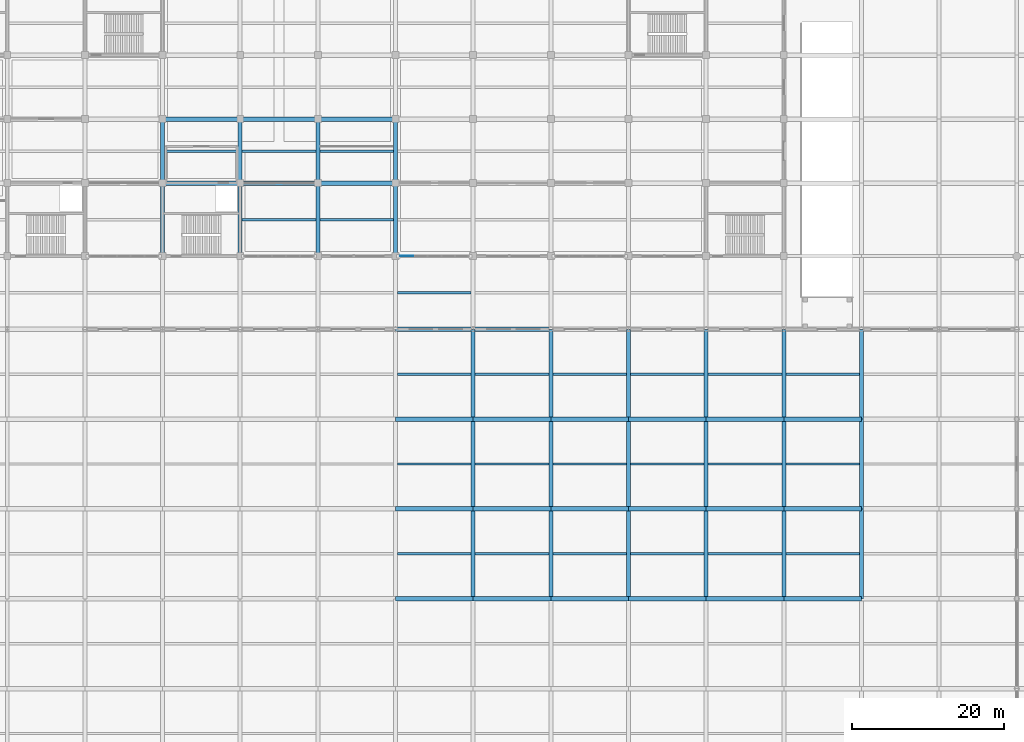
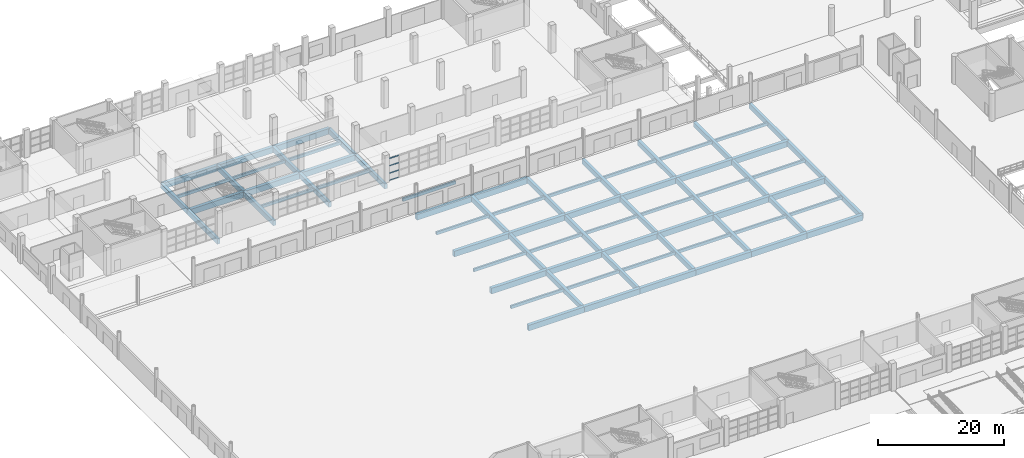
# One storey, part 44 of 124: 76 beams, 4 members, 1 element without a shape of its own.
"""IFC4 building model written with IfcOpenShell, lengths in metres."""

from ifc_helpers import new_model, si_unit, direction, frame, origin, origin_2d, place, context, subcontext, project, spatial, rectangle, hollow_rectangle, extrude, material, material_profile, profile_set, type_object, element, aggregate, save


model = new_model("IFC4")

# Units and contexts
model_context = context("Model", 3, precision=1e-05, world=origin(), true_north=direction((0.0, 1.0)))
body_context = subcontext(model_context, "Body", "Model", "MODEL_VIEW")
ifc_project = project(units=[si_unit("LENGTHUNIT", "METRE"), si_unit("AREAUNIT", "SQUARE_METRE"), si_unit("VOLUMEUNIT", "CUBIC_METRE"), si_unit("PLANEANGLEUNIT", "RADIAN"), si_unit("MASSUNIT", "GRAM", prefix="KILO")], contexts=[model_context])

# Site, building, storey
site_placement = place(None, origin())
site = spatial("IfcSite", under=ifc_project, at=site_placement, CompositionType="ELEMENT")
building_placement = place(site_placement, origin())
building = spatial("IfcBuilding", under=site, at=building_placement, Name="Brelvane Convention Centre", CompositionType="ELEMENT")
storey_placement = place(building_placement, origin())
storey = spatial("IfcBuildingStorey", under=building, at=storey_placement, Name="L00", CompositionType="ELEMENT", Elevation=0.0)

# Curtain wall, members
ifc_material_1 = material(Name="Anodised Aluminium Alloy 6063-T6", Category="aluminium")
curtain_wall_type = type_object("IfcCurtainWallType", Name="Curtain Wall CW-COURT", PredefinedType="USERDEFINED", material=ifc_material_1)
curtain_wall_placement = place(storey_placement, origin())
curtain_wall = element("IfcCurtainWall", 1, at=curtain_wall_placement, inside=storey, type_object=curtain_wall_type, Name="Curtain Wall CW-COURT L00-V4S-07", ObjectType="UNITISED", PredefinedType="USERDEFINED")
ifc_material_2 = material(Name="Anodised Aluminium Alloy 6063-T6", Category="aluminium")
ifc_material_profile_1 = material_profile(ifc_material_2, hollow_rectangle(XDim=0.070068359375, YDim=0.14990234375, WallThickness=0.00439453125, InnerFilletRadius=0.00439453125, OuterFilletRadius=0.009033203125, at=origin_2d()), Name="ALU-T 150x70x4.5")
ifc_profile_set_1 = profile_set([ifc_material_profile_1], Name="Anodised Aluminium Alloy 6063-T6")
member_type = type_object("IfcMemberType", Name="Curtain Transom CW-T2", PredefinedType="USERDEFINED", material=ifc_profile_set_1)
member_1_placement = place(storey_placement, frame((61.824951171875, 109.199951171875, 0.034912109375), z_axis=(1.0, 0.0, 0.0), x_axis=(0.0, 1.0, 0.0)))
member_1 = element("IfcMember", 2, at=member_1_placement, type_object=member_type, Name="CW-COURT transom 1.1", ObjectType="TRANSOM", PredefinedType="USERDEFINED", context=body_context, shape_type="SweptSolid", body=[
    extrude(hollow_rectangle(XDim=0.070068359375, YDim=0.14990234375, WallThickness=0.00439453125, InnerFilletRadius=0.00439453125, OuterFilletRadius=0.009033203125, at=origin_2d()), origin(), (0.0, 0.0, 1.0), 1.70751953125),
])
member_2_placement = place(storey_placement, frame((61.824951171875, 109.199951171875, 1.433349609375), z_axis=(1.0, 0.0, 0.0), x_axis=(0.0, 1.0, 0.0)))
member_2 = element("IfcMember", 3, at=member_2_placement, type_object=member_type, Name="CW-COURT transom 1.2", ObjectType="TRANSOM", PredefinedType="USERDEFINED", context=body_context, shape_type="SweptSolid", body=[
    extrude(hollow_rectangle(XDim=0.070068359375, YDim=0.14990234375, WallThickness=0.00439453125, InnerFilletRadius=0.00439453125, OuterFilletRadius=0.009033203125, at=origin_2d()), origin(), (0.0, 0.0, 1.0), 1.70751953125),
])
member_3_placement = place(storey_placement, frame((61.824951171875, 109.199951171875, 2.86669921875), z_axis=(1.0, 0.0, 0.0), x_axis=(0.0, 1.0, 0.0)))
member_3 = element("IfcMember", 4, at=member_3_placement, type_object=member_type, Name="CW-COURT transom 1.3", ObjectType="TRANSOM", PredefinedType="USERDEFINED", context=body_context, shape_type="SweptSolid", body=[
    extrude(hollow_rectangle(XDim=0.070068359375, YDim=0.14990234375, WallThickness=0.00439453125, InnerFilletRadius=0.00439453125, OuterFilletRadius=0.009033203125, at=origin_2d()), origin(), (0.0, 0.0, 1.0), 1.70751953125),
])
member_4_placement = place(storey_placement, frame((61.824951171875, 109.199951171875, 4.264892578125), z_axis=(1.0, 0.0, 0.0), x_axis=(0.0, 1.0, 0.0)))
member_4 = element("IfcMember", 5, at=member_4_placement, type_object=member_type, Name="CW-COURT transom 1.4", ObjectType="TRANSOM", PredefinedType="USERDEFINED", context=body_context, shape_type="SweptSolid", body=[
    extrude(hollow_rectangle(XDim=0.070068359375, YDim=0.14990234375, WallThickness=0.00439453125, InnerFilletRadius=0.00439453125, OuterFilletRadius=0.009033203125, at=origin_2d()), origin(), (0.0, 0.0, 1.0), 1.70751953125),
])
aggregate(curtain_wall, [member_1, member_2, member_3, member_4])

# Beams
ifc_material_3 = material(Name="Concrete M50", Category="concrete")
ifc_material_profile_2 = material_profile(ifc_material_3, rectangle(XDim=0.60009765625, YDim=1.10009765625, at=origin_2d()), Name="RC 600x1100")
ifc_profile_set_2 = profile_set([ifc_material_profile_2], Name="Concrete M50")
beam_type_1 = type_object("IfcBeamType", Name="RC Beam B-RC2 (RC 600x1100)", PredefinedType="BEAM", material=ifc_profile_set_2)
for number, where, z_axis, x_axis, name in (
    (6, (30.60009765625, 118.800048828125, -0.965087890625), (1.0, 0.0, 0.0), (0.0, 1.0, 0.0), "L00 Beam 4-5/M"),
    (7, (30.60009765625, 127.199951171875, -0.965087890625), (1.0, 0.0, 0.0), (0.0, 1.0, 0.0), "L00 Beam 4-5/N"),
    (8, (40.800048828125, 118.800048828125, -0.965087890625), (1.0, 0.0, 0.0), (0.0, 1.0, 0.0), "L00 Beam 5-6/M"),
    (9, (40.800048828125, 127.199951171875, -0.965087890625), (1.0, 0.0, 0.0), (0.0, 1.0, 0.0), "L00 Beam 5-6/N"),
    (10, (51.0, 118.800048828125, -0.965087890625), (1.0, 0.0, 0.0), (0.0, 1.0, 0.0), "L00 Beam 6-7/M"),
    (11, (51.0, 127.199951171875, -0.965087890625), (1.0, 0.0, 0.0), (0.0, 1.0, 0.0), "L00 Beam 6-7/N"),
    (12, (61.199951171875, 64.199951171875, -0.929931640625), (1.0, 0.0, 0.0), (0.0, 1.0, 0.0), "L00 Beam 7-8/G"),
    (13, (61.199951171875, 76.0, -0.929931640625), (1.0, 0.0, 0.0), (0.0, 1.0, 0.0), "L00 Beam 7-8/H"),
    (14, (61.199951171875, 87.800048828125, -0.929931640625), (1.0, 0.0, 0.0), (0.0, 1.0, 0.0), "L00 Beam 7-8/J"),
    (15, (61.199951171875, 99.60009765625, -0.949951171875), (1.0, 0.0, 0.0), (0.0, 1.0, 0.0), "L00 Beam 7-8/K"),
):
    element("IfcBeam", number, at=place(storey_placement, frame(where, z_axis=z_axis, x_axis=x_axis)), inside=storey, type_object=beam_type_1, Name=name, PredefinedType="BEAM", context=body_context, shape_type="SweptSolid", body=[
        extrude(rectangle(XDim=0.60009765625, YDim=1.10009765625, at=origin_2d()), origin(), (0.0, 0.0, 1.0), 10.199951171875),
    ])
for number, where, z_axis, x_axis, name in (
    (16, (71.39990234375, 64.199951171875, -0.929931640625), (1.0, 0.0, 0.0), (0.0, 1.0, 0.0), "L00 Beam 8-9/G"),
    (17, (71.39990234375, 76.0, -0.929931640625), (1.0, 0.0, 0.0), (0.0, 1.0, 0.0), "L00 Beam 8-9/H"),
    (18, (71.39990234375, 87.800048828125, -0.929931640625), (1.0, 0.0, 0.0), (0.0, 1.0, 0.0), "L00 Beam 8-9/J"),
    (19, (71.39990234375, 99.60009765625, -0.949951171875), (1.0, 0.0, 0.0), (0.0, 1.0, 0.0), "L00 Beam 8-9/K"),
):
    element("IfcBeam", number, at=place(storey_placement, frame(where, z_axis=z_axis, x_axis=x_axis)), inside=storey, type_object=beam_type_1, Name=name, PredefinedType="BEAM", context=body_context, shape_type="SweptSolid", body=[
        extrude(rectangle(XDim=0.60009765625, YDim=1.10009765625, at=origin_2d()), origin(), (0.0, 0.0, 1.0), 10.2001953125),
    ])
for number, where, z_axis, x_axis, name in (
    (20, (81.60009765625, 64.199951171875, -0.929931640625), (1.0, 0.0, 0.0), (0.0, 1.0, 0.0), "L00 Beam 9-10/G"),
    (21, (81.60009765625, 76.0, -0.929931640625), (1.0, 0.0, 0.0), (0.0, 1.0, 0.0), "L00 Beam 9-10/H"),
    (22, (81.60009765625, 87.800048828125, -0.929931640625), (1.0, 0.0, 0.0), (0.0, 1.0, 0.0), "L00 Beam 9-10/J"),
    (23, (91.800048828125, 64.199951171875, -0.929931640625), (1.0, 0.0, 0.0), (0.0, 1.0, 0.0), "L00 Beam 10-11/G"),
    (24, (91.800048828125, 76.0, -0.929931640625), (1.0, 0.0, 0.0), (0.0, 1.0, 0.0), "L00 Beam 10-11/H"),
    (25, (91.800048828125, 87.800048828125, -0.929931640625), (1.0, 0.0, 0.0), (0.0, 1.0, 0.0), "L00 Beam 10-11/J"),
    (26, (102.0, 64.199951171875, -0.929931640625), (1.0, 0.0, 0.0), (0.0, 1.0, 0.0), "L00 Beam 11-12/G"),
    (27, (102.0, 76.0, -0.929931640625), (1.0, 0.0, 0.0), (0.0, 1.0, 0.0), "L00 Beam 11-12/H"),
    (28, (102.0, 87.800048828125, -0.929931640625), (1.0, 0.0, 0.0), (0.0, 1.0, 0.0), "L00 Beam 11-12/J"),
    (29, (112.199951171875, 64.199951171875, -0.929931640625), (1.0, 0.0, 0.0), (0.0, 1.0, 0.0), "L00 Beam 12-13/G"),
    (30, (112.199951171875, 76.0, -0.929931640625), (1.0, 0.0, 0.0), (0.0, 1.0, 0.0), "L00 Beam 12-13/H"),
    (31, (112.199951171875, 87.800048828125, -0.929931640625), (1.0, 0.0, 0.0), (0.0, 1.0, 0.0), "L00 Beam 12-13/J"),
):
    element("IfcBeam", number, at=place(storey_placement, frame(where, z_axis=z_axis, x_axis=x_axis)), inside=storey, type_object=beam_type_1, Name=name, PredefinedType="BEAM", context=body_context, shape_type="SweptSolid", body=[
        extrude(rectangle(XDim=0.60009765625, YDim=1.10009765625, at=origin_2d()), origin(), (0.0, 0.0, 1.0), 10.199951171875),
    ])
ifc_material_4 = material(Name="Concrete M50", Category="concrete")
ifc_material_profile_3 = material_profile(ifc_material_4, rectangle(XDim=0.52001953125, YDim=0.949951171875, at=origin_2d()), Name="RC 520x950")
ifc_profile_set_3 = profile_set([ifc_material_profile_3], Name="Concrete M50")
beam_type_2 = type_object("IfcBeamType", Name="RC Beam B-RC9 (RC 520x950)", PredefinedType="BEAM", material=ifc_profile_set_3)
beam_1_placement = place(storey_placement, frame((30.60009765625, 109.199951171875, -0.889892578125), z_axis=(0.0, 1.0, 0.0), x_axis=(-1.0, 0.0, 0.0)))
element("IfcBeam", 32, at=beam_1_placement, inside=storey, type_object=beam_type_2, Name="L00 Girder 4/L-M", PredefinedType="BEAM", context=body_context, shape_type="SweptSolid", body=[
    extrude(rectangle(XDim=0.52001953125, YDim=0.949951171875, at=origin_2d()), origin(), (0.0, 0.0, 1.0), 9.60009765625),
])
beam_2_placement = place(storey_placement, frame((30.60009765625, 118.800048828125, -0.889892578125), z_axis=(0.0, 1.0, 0.0), x_axis=(-1.0, 0.0, 0.0)))
element("IfcBeam", 33, at=beam_2_placement, inside=storey, type_object=beam_type_2, Name="L00 Girder 4/M-N", PredefinedType="BEAM", context=body_context, shape_type="SweptSolid", body=[
    extrude(rectangle(XDim=0.52001953125, YDim=0.949951171875, at=origin_2d()), origin(), (0.0, 0.0, 1.0), 8.39990234375),
])
beam_3_placement = place(storey_placement, frame((40.800048828125, 109.199951171875, -0.889892578125), z_axis=(0.0, 1.0, 0.0), x_axis=(-1.0, 0.0, 0.0)))
element("IfcBeam", 34, at=beam_3_placement, inside=storey, type_object=beam_type_2, Name="L00 Girder 5/L-M", PredefinedType="BEAM", context=body_context, shape_type="SweptSolid", body=[
    extrude(rectangle(XDim=0.52001953125, YDim=0.949951171875, at=origin_2d()), origin(), (0.0, 0.0, 1.0), 9.60009765625),
])
beam_4_placement = place(storey_placement, frame((40.800048828125, 118.800048828125, -0.889892578125), z_axis=(0.0, 1.0, 0.0), x_axis=(-1.0, 0.0, 0.0)))
element("IfcBeam", 35, at=beam_4_placement, inside=storey, type_object=beam_type_2, Name="L00 Girder 5/M-N", PredefinedType="BEAM", context=body_context, shape_type="SweptSolid", body=[
    extrude(rectangle(XDim=0.52001953125, YDim=0.949951171875, at=origin_2d()), origin(), (0.0, 0.0, 1.0), 8.39990234375),
])
beam_5_placement = place(storey_placement, frame((51.0, 109.199951171875, -0.889892578125), z_axis=(0.0, 1.0, 0.0), x_axis=(-1.0, 0.0, 0.0)))
element("IfcBeam", 36, at=beam_5_placement, inside=storey, type_object=beam_type_2, Name="L00 Girder 6/L-M", PredefinedType="BEAM", context=body_context, shape_type="SweptSolid", body=[
    extrude(rectangle(XDim=0.52001953125, YDim=0.949951171875, at=origin_2d()), origin(), (0.0, 0.0, 1.0), 9.60009765625),
])
beam_6_placement = place(storey_placement, frame((51.0, 118.800048828125, -0.889892578125), z_axis=(0.0, 1.0, 0.0), x_axis=(-1.0, 0.0, 0.0)))
element("IfcBeam", 37, at=beam_6_placement, inside=storey, type_object=beam_type_2, Name="L00 Girder 6/M-N", PredefinedType="BEAM", context=body_context, shape_type="SweptSolid", body=[
    extrude(rectangle(XDim=0.52001953125, YDim=0.949951171875, at=origin_2d()), origin(), (0.0, 0.0, 1.0), 8.39990234375),
])
beam_7_placement = place(storey_placement, frame((61.199951171875, 109.199951171875, -0.905029296875), z_axis=(0.0, 1.0, 0.0), x_axis=(-1.0, 0.0, 0.0)))
element("IfcBeam", 38, at=beam_7_placement, inside=storey, type_object=beam_type_2, Name="L00 Girder 7/L-M", PredefinedType="BEAM", context=body_context, shape_type="SweptSolid", body=[
    extrude(rectangle(XDim=0.52001953125, YDim=0.949951171875, at=origin_2d()), origin(), (0.0, 0.0, 1.0), 9.60009765625),
])
beam_8_placement = place(storey_placement, frame((61.199951171875, 118.800048828125, -0.905029296875), z_axis=(0.0, 1.0, 0.0), x_axis=(-1.0, 0.0, 0.0)))
element("IfcBeam", 39, at=beam_8_placement, inside=storey, type_object=beam_type_2, Name="L00 Girder 7/M-N", PredefinedType="BEAM", context=body_context, shape_type="SweptSolid", body=[
    extrude(rectangle(XDim=0.52001953125, YDim=0.949951171875, at=origin_2d()), origin(), (0.0, 0.0, 1.0), 8.39990234375),
])
for number, where, z_axis, x_axis, name in (
    (40, (71.39990234375, 64.199951171875, -0.85498046875), (0.0, 1.0, 0.0), (-1.0, 0.0, 0.0), "L00 Girder 8/G-H"),
    (41, (71.39990234375, 76.0, -0.85498046875), (0.0, 1.0, 0.0), (-1.0, 0.0, 0.0), "L00 Girder 8/H-J"),
    (42, (71.39990234375, 87.800048828125, -0.85498046875), (0.0, 1.0, 0.0), (-1.0, 0.0, 0.0), "L00 Girder 8/J-K"),
    (43, (81.60009765625, 64.199951171875, -0.85498046875), (0.0, 1.0, 0.0), (-1.0, 0.0, 0.0), "L00 Girder 9/G-H"),
    (44, (81.60009765625, 76.0, -0.85498046875), (0.0, 1.0, 0.0), (-1.0, 0.0, 0.0), "L00 Girder 9/H-J"),
    (45, (81.60009765625, 87.800048828125, -0.85498046875), (0.0, 1.0, 0.0), (-1.0, 0.0, 0.0), "L00 Girder 9/J-K"),
    (46, (91.800048828125, 64.199951171875, -0.85498046875), (0.0, 1.0, 0.0), (-1.0, 0.0, 0.0), "L00 Girder 10/G-H"),
    (47, (91.800048828125, 76.0, -0.85498046875), (0.0, 1.0, 0.0), (-1.0, 0.0, 0.0), "L00 Girder 10/H-J"),
    (48, (91.800048828125, 87.800048828125, -0.85498046875), (0.0, 1.0, 0.0), (-1.0, 0.0, 0.0), "L00 Girder 10/J-K"),
    (49, (102.0, 64.199951171875, -0.85498046875), (0.0, 1.0, 0.0), (-1.0, 0.0, 0.0), "L00 Girder 11/G-H"),
    (50, (102.0, 76.0, -0.85498046875), (0.0, 1.0, 0.0), (-1.0, 0.0, 0.0), "L00 Girder 11/H-J"),
    (51, (102.0, 87.800048828125, -0.85498046875), (0.0, 1.0, 0.0), (-1.0, 0.0, 0.0), "L00 Girder 11/J-K"),
    (52, (112.199951171875, 64.199951171875, -0.85498046875), (0.0, 1.0, 0.0), (-1.0, 0.0, 0.0), "L00 Girder 12/G-H"),
    (53, (112.199951171875, 76.0, -0.85498046875), (0.0, 1.0, 0.0), (-1.0, 0.0, 0.0), "L00 Girder 12/H-J"),
    (54, (112.199951171875, 87.800048828125, -0.85498046875), (0.0, 1.0, 0.0), (-1.0, 0.0, 0.0), "L00 Girder 12/J-K"),
    (55, (122.39990234375, 64.199951171875, -0.85498046875), (0.0, 1.0, 0.0), (-1.0, 0.0, 0.0), "L00 Girder 13/G-H"),
    (56, (122.39990234375, 76.0, -0.85498046875), (0.0, 1.0, 0.0), (-1.0, 0.0, 0.0), "L00 Girder 13/H-J"),
    (57, (122.39990234375, 87.800048828125, -0.85498046875), (0.0, 1.0, 0.0), (-1.0, 0.0, 0.0), "L00 Girder 13/J-K"),
):
    element("IfcBeam", number, at=place(storey_placement, frame(where, z_axis=z_axis, x_axis=x_axis)), inside=storey, type_object=beam_type_2, Name=name, PredefinedType="BEAM", context=body_context, shape_type="SweptSolid", body=[
        extrude(rectangle(XDim=0.52001953125, YDim=0.949951171875, at=origin_2d()), origin(), (0.0, 0.0, 1.0), 11.800048828125),
    ])
ifc_material_5 = material(Name="Concrete M40", Category="concrete")
ifc_material_profile_4 = material_profile(ifc_material_5, rectangle(XDim=0.320068359375, YDim=0.580078125, at=origin_2d()), Name="RC 320x580")
ifc_profile_set_4 = profile_set([ifc_material_profile_4], Name="Concrete M40")
beam_type_3 = type_object("IfcBeamType", Name="RC Joist J-RC3 (RC 320x580)", PredefinedType="JOIST", material=ifc_profile_set_4)
for number, where, z_axis, x_axis, name in (
    (58, (30.860107421875, 123.0, -0.705078125), (1.0, 0.0, 0.0), (0.0, 1.0, 0.0), "L00 Secondary Joist 4-5/MN"),
    (59, (41.06005859375, 114.0, -0.705078125), (1.0, 0.0, 0.0), (0.0, 1.0, 0.0), "L00 Secondary Joist 5-6/LM"),
    (60, (41.06005859375, 123.0, -0.705078125), (1.0, 0.0, 0.0), (0.0, 1.0, 0.0), "L00 Secondary Joist 5-6/MN"),
    (61, (51.260009765625, 114.0, -0.705078125), (1.0, 0.0, 0.0), (0.0, 1.0, 0.0), "L00 Secondary Joist 6-7/LM"),
    (62, (51.260009765625, 123.0, -0.705078125), (1.0, 0.0, 0.0), (0.0, 1.0, 0.0), "L00 Secondary Joist 6-7/MN"),
    (63, (61.4599609375, 70.10009765625, -0.669921875), (1.0, 0.0, 0.0), (0.0, 1.0, 0.0), "L00 Secondary Joist 7-8/GH"),
    (64, (61.4599609375, 81.89990234375, -0.669921875), (1.0, 0.0, 0.0), (0.0, 1.0, 0.0), "L00 Secondary Joist 7-8/HJ"),
    (65, (61.4599609375, 93.699951171875, -0.669921875), (1.0, 0.0, 0.0), (0.0, 1.0, 0.0), "L00 Secondary Joist 7-8/JK"),
    (66, (61.4599609375, 104.39990234375, -0.68994140625), (1.0, 0.0, 0.0), (0.0, 1.0, 0.0), "L00 Secondary Joist 7-8/KL"),
):
    element("IfcBeam", number, at=place(storey_placement, frame(where, z_axis=z_axis, x_axis=x_axis)), inside=storey, type_object=beam_type_3, Name=name, PredefinedType="JOIST", context=body_context, shape_type="SweptSolid", body=[
        extrude(rectangle(XDim=0.320068359375, YDim=0.580078125, at=origin_2d()), origin(), (0.0, 0.0, 1.0), 9.679931640625),
    ])
for number, where, z_axis, x_axis, name in (
    (67, (71.659912109375, 70.10009765625, -0.669921875), (1.0, 0.0, 0.0), (0.0, 1.0, 0.0), "L00 Secondary Joist 8-9/GH"),
    (68, (71.659912109375, 81.89990234375, -0.669921875), (1.0, 0.0, 0.0), (0.0, 1.0, 0.0), "L00 Secondary Joist 8-9/HJ"),
    (69, (71.659912109375, 93.699951171875, -0.669921875), (1.0, 0.0, 0.0), (0.0, 1.0, 0.0), "L00 Secondary Joist 8-9/JK"),
):
    element("IfcBeam", number, at=place(storey_placement, frame(where, z_axis=z_axis, x_axis=x_axis)), inside=storey, type_object=beam_type_3, Name=name, PredefinedType="JOIST", context=body_context, shape_type="SweptSolid", body=[
        extrude(rectangle(XDim=0.320068359375, YDim=0.580078125, at=origin_2d()), origin(), (0.0, 0.0, 1.0), 9.68017578125),
    ])
for number, where, z_axis, x_axis, name in (
    (70, (81.860107421875, 70.10009765625, -0.669921875), (1.0, 0.0, 0.0), (0.0, 1.0, 0.0), "L00 Secondary Joist 9-10/GH"),
    (71, (81.860107421875, 81.89990234375, -0.669921875), (1.0, 0.0, 0.0), (0.0, 1.0, 0.0), "L00 Secondary Joist 9-10/HJ"),
    (72, (81.860107421875, 93.699951171875, -0.669921875), (1.0, 0.0, 0.0), (0.0, 1.0, 0.0), "L00 Secondary Joist 9-10/JK"),
    (73, (92.06005859375, 70.10009765625, -0.669921875), (1.0, 0.0, 0.0), (0.0, 1.0, 0.0), "L00 Secondary Joist 10-11/GH"),
    (74, (92.06005859375, 81.89990234375, -0.669921875), (1.0, 0.0, 0.0), (0.0, 1.0, 0.0), "L00 Secondary Joist 10-11/HJ"),
    (75, (92.06005859375, 93.699951171875, -0.669921875), (1.0, 0.0, 0.0), (0.0, 1.0, 0.0), "L00 Secondary Joist 10-11/JK"),
    (76, (102.260009765625, 70.10009765625, -0.669921875), (1.0, 0.0, 0.0), (0.0, 1.0, 0.0), "L00 Secondary Joist 11-12/GH"),
    (77, (102.260009765625, 81.89990234375, -0.669921875), (1.0, 0.0, 0.0), (0.0, 1.0, 0.0), "L00 Secondary Joist 11-12/HJ"),
    (78, (102.260009765625, 93.699951171875, -0.669921875), (1.0, 0.0, 0.0), (0.0, 1.0, 0.0), "L00 Secondary Joist 11-12/JK"),
    (79, (112.4599609375, 70.10009765625, -0.669921875), (1.0, 0.0, 0.0), (0.0, 1.0, 0.0), "L00 Secondary Joist 12-13/GH"),
    (80, (112.4599609375, 81.89990234375, -0.669921875), (1.0, 0.0, 0.0), (0.0, 1.0, 0.0), "L00 Secondary Joist 12-13/HJ"),
    (81, (112.4599609375, 93.699951171875, -0.669921875), (1.0, 0.0, 0.0), (0.0, 1.0, 0.0), "L00 Secondary Joist 12-13/JK"),
):
    element("IfcBeam", number, at=place(storey_placement, frame(where, z_axis=z_axis, x_axis=x_axis)), inside=storey, type_object=beam_type_3, Name=name, PredefinedType="JOIST", context=body_context, shape_type="SweptSolid", body=[
        extrude(rectangle(XDim=0.320068359375, YDim=0.580078125, at=origin_2d()), origin(), (0.0, 0.0, 1.0), 9.679931640625),
    ])

save(model, "model.ifc")
